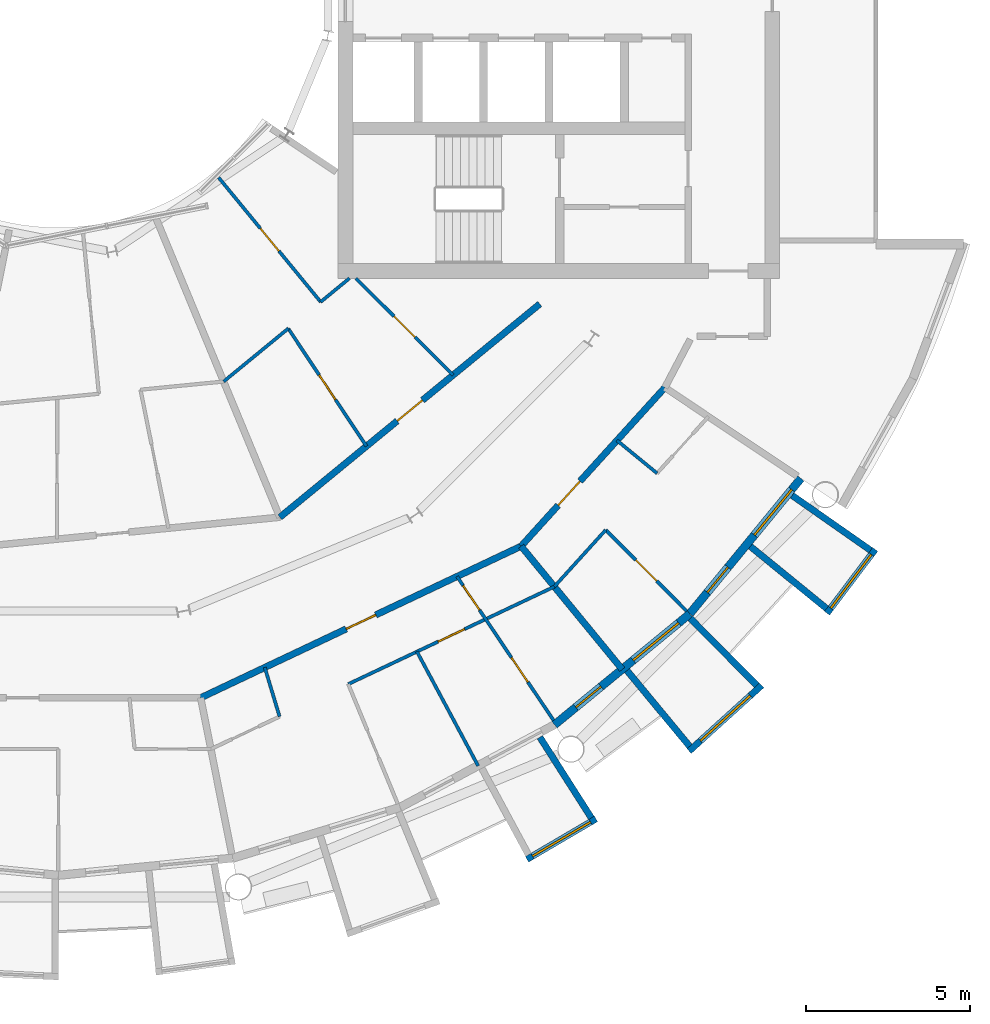
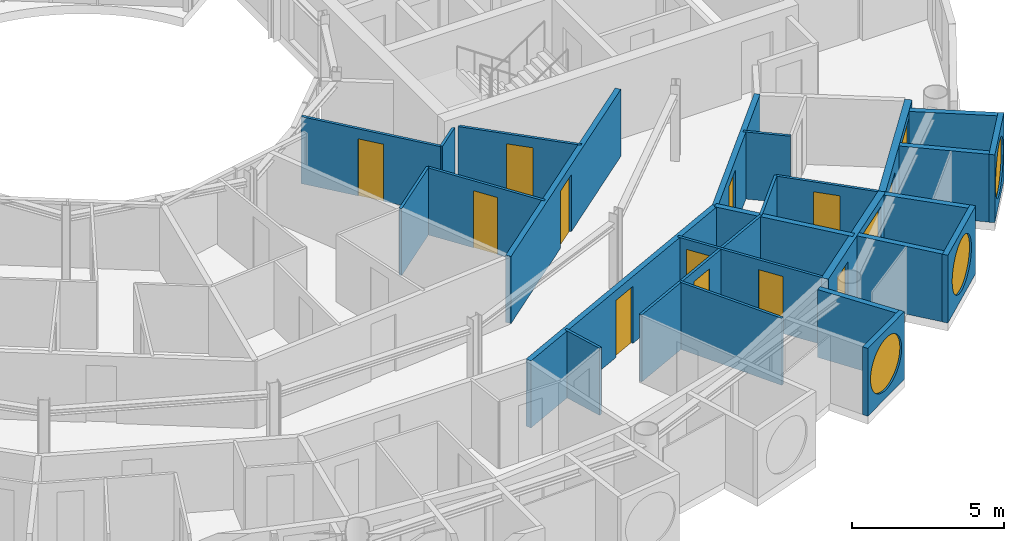
# One storey, part 18 of 29: 26 walls, 12 doors, 5 windows, 17 openings.
"""IFC4 building model written with IfcOpenShell, lengths in metres."""

from ifc_helpers import new_model, si_unit, direction, frame, frame_2d, origin, place, context, subcontext, project, spatial, rectangle, circle, extrude, material, layer, layer_set, type_object, element, fill, save


model = new_model("IFC4")

# Units and contexts
model_context = context("Model", 3, precision=1e-05, world=origin(), true_north=direction((0.0, 1.0)))
body_context = subcontext(model_context, "Body", "Model", "MODEL_VIEW")
ifc_project = project(units=[si_unit("LENGTHUNIT", "METRE"), si_unit("AREAUNIT", "SQUARE_METRE"), si_unit("VOLUMEUNIT", "CUBIC_METRE"), si_unit("PLANEANGLEUNIT", "RADIAN"), si_unit("MASSUNIT", "GRAM", prefix="KILO")], contexts=[model_context])

# Site, building, storey
site_placement = place(None, origin())
site = spatial("IfcSite", under=ifc_project, at=site_placement, CompositionType="ELEMENT")
building_placement = place(site_placement, origin())
building = spatial("IfcBuilding", under=site, at=building_placement, Name="Maasbend Ring Residences", CompositionType="ELEMENT")
storey_placement = place(building_placement, frame((0.0, 0.0, 215.75)))
storey = spatial("IfcBuildingStorey", under=building, at=storey_placement, Name="L62", CompositionType="ELEMENT", Elevation=215.75)

# Wall, opening, door
ifc_material_1 = material(Name="Concrete C30/37", Category="concrete")
ifc_layer_1 = layer(ifc_material_1, 0.199951171875)
ifc_layer_set_1 = layer_set([ifc_layer_1], Name="Concrete C30/37")
wall_type_1 = type_object("IfcWallType", Name="CORRIDOR WALL 200 CONCRETE", PredefinedType="PARTITIONING", material=ifc_layer_set_1)
wall_1_placement = place(storey_placement, frame((14.14697265625, -17.238037109375, 0.0), z_axis=(0.0, 0.0, 1.0), x_axis=(0.671561669125, 0.740948665268, 0.0)))
wall_1 = element("IfcWall", 1, at=wall_1_placement, inside=storey, type_object=wall_type_1, Name="U-L62-w013", PredefinedType="PARTITIONING", context=body_context, shape_type="SweptSolid", body=[
    extrude(rectangle(XDim=6.54443359375, YDim=0.199951171875, at=frame_2d((3.272216796875, 0.0))), origin(), (0.0, 0.0, 1.0), 2.699951171875),
])
opening_1_placement = place(wall_1_placement, frame((1.681884765625, 0.0, 0.0)))
opening_1 = element("IfcOpeningElement", 2, at=opening_1_placement, cuts=wall_1, Name="Opening D-6253", PredefinedType="OPENING", context=body_context, shape_type="SweptSolid", body=[
    extrude(rectangle(XDim=1.0, YDim=2.300048828125, at=frame_2d((0.5, 1.14990234375))), frame((0.0, 0.10986328125, 0.0), z_axis=(0.0, -1.0, 0.0), x_axis=(1.0, 0.0, 0.0)), (0.0, 0.0, 1.0), 0.219970703125),
])
ifc_material_2 = material(Name="Timber, fire-rated, painted", Category="wood")
door_type_1 = type_object("IfcDoorType", Name="FLAT ENTRANCE DOOR 1000 X 2300 FIRE-RATED", OperationType="NOTDEFINED", PredefinedType="DOOR", material=ifc_material_2)
door_1_placement = place(opening_1_placement, origin())
door_1 = element("IfcDoor", 3, at=door_1_placement, inside=storey, type_object=door_type_1, Name="D-6253", OperationType="SINGLE_SWING_LEFT", OverallHeight=2.300048828125, OverallWidth=1.0, PredefinedType="DOOR", context=body_context, shape_type="SweptSolid", body=[
    extrude(rectangle(XDim=1.0, YDim=2.300048828125, at=frame_2d((0.5, 1.14990234375))), frame((0.0, 0.02490234375, 0.0), z_axis=(0.0, -1.0, 0.0), x_axis=(1.0, 0.0, 0.0)), (0.0, 0.0, 1.0), 0.050048828125),
])
fill(opening_1, door_1)

wall_2_placement = place(storey_placement, frame((4.35205078125, -21.873046875, 0.0), z_axis=(0.0, 0.0, 1.0), x_axis=(0.903903349022, 0.427736759733, 0.0)))
wall_2 = element("IfcWall", 4, at=wall_2_placement, inside=storey, type_object=wall_type_1, Name="U-L62-w019", PredefinedType="PARTITIONING", context=body_context, shape_type="SweptSolid", body=[
    extrude(rectangle(XDim=10.83837890625, YDim=0.199951171875, at=frame_2d((5.419189453125, 0.0))), origin(), (0.0, 0.0, 1.0), 2.699951171875),
])
opening_2_placement = place(wall_2_placement, frame((4.919921875, 0.0, 0.0)))
opening_2 = element("IfcOpeningElement", 5, at=opening_2_placement, cuts=wall_2, Name="Opening D-6247", PredefinedType="OPENING", context=body_context, shape_type="SweptSolid", body=[
    extrude(rectangle(XDim=1.0, YDim=2.300048828125, at=frame_2d((0.5, 1.14990234375))), frame((0.0, 0.10986328125, 0.0), z_axis=(0.0, -1.0, 0.0), x_axis=(1.0, 0.0, 0.0)), (0.0, 0.0, 1.0), 0.219970703125),
])
door_2_placement = place(opening_2_placement, origin())
door_2 = element("IfcDoor", 6, at=door_2_placement, inside=storey, type_object=door_type_1, Name="D-6247", OperationType="SINGLE_SWING_RIGHT", OverallHeight=2.300048828125, OverallWidth=1.0, PredefinedType="DOOR", context=body_context, shape_type="SweptSolid", body=[
    extrude(rectangle(XDim=1.0, YDim=2.300048828125, at=frame_2d((0.5, 1.14990234375))), frame((0.0, 0.02490234375, 0.0), z_axis=(0.0, -1.0, 0.0), x_axis=(1.0, 0.0, 0.0)), (0.0, 0.0, 1.0), 0.050048828125),
])
fill(opening_2, door_2)

wall_3_placement = place(storey_placement, frame((6.77294921875, -16.35302734375, 0.0), z_axis=(0.0, 0.0, 1.0), x_axis=(0.773034536097, 0.634363938131, 0.0)))
wall_3 = element("IfcWall", 7, at=wall_3_placement, inside=storey, type_object=wall_type_1, Name="U-L62-w021", PredefinedType="PARTITIONING", context=body_context, shape_type="SweptSolid", body=[
    extrude(rectangle(XDim=10.276611328125, YDim=0.199951171875, at=frame_2d((5.13818359375, 0.0))), origin(), (0.0, 0.0, 1.0), 2.699951171875),
])
opening_3_placement = place(wall_3_placement, frame((4.637939453125, 0.0, 0.0)))
opening_3 = element("IfcOpeningElement", 8, at=opening_3_placement, cuts=wall_3, Name="Opening D-6264", PredefinedType="OPENING", context=body_context, shape_type="SweptSolid", body=[
    extrude(rectangle(XDim=1.0, YDim=2.300048828125, at=frame_2d((0.5, 1.14990234375))), frame((0.0, 0.10986328125, 0.0), z_axis=(0.0, -1.0, 0.0), x_axis=(1.0, 0.0, 0.0)), (0.0, 0.0, 1.0), 0.219970703125),
])
door_3_placement = place(opening_3_placement, origin())
door_3 = element("IfcDoor", 9, at=door_3_placement, inside=storey, type_object=door_type_1, Name="D-6264", OperationType="SINGLE_SWING_RIGHT", OverallHeight=2.300048828125, OverallWidth=1.0, PredefinedType="DOOR", context=body_context, shape_type="SweptSolid", body=[
    extrude(rectangle(XDim=1.0, YDim=2.300048828125, at=frame_2d((0.5, 1.14990234375))), frame((0.0, 0.02490234375, 0.0), z_axis=(0.0, -1.0, 0.0), x_axis=(1.0, 0.0, 0.0)), (0.0, 0.0, 1.0), 0.050048828125),
])
fill(opening_3, door_3)

# Wall, opening, window
ifc_material_3 = material(Name="Pale anodised aluminium panel", Category="aluminium")
ifc_layer_2 = layer(ifc_material_3, 0.199951171875)
ifc_layer_set_2 = layer_set([ifc_layer_2], Name="EW-BOX")
wall_type_2 = type_object("IfcWallType", Name="EW-BOX", PredefinedType="SOLIDWALL", material=ifc_layer_set_2)
wall_4_placement = place(storey_placement, frame((14.326904296875, -26.81201171875, -0.030029296875), z_axis=(0.0, 0.0, 1.0), x_axis=(0.862403467503, 0.506221551535, 0.0)))
wall_4 = element("IfcWall", 10, at=wall_4_placement, inside=storey, type_object=wall_type_2, Name="Box front S16", PredefinedType="SOLIDWALL", context=body_context, shape_type="SweptSolid", body=[
    extrude(rectangle(XDim=2.445556640625, YDim=0.199951171875, at=frame_2d((1.22265625, 0.0))), origin(), (0.0, 0.0, 1.0), 2.72998046875),
])
opening_4_placement = place(wall_4_placement, frame((0.182861328125, 0.0, 0.330078125)))
opening_4 = element("IfcOpeningElement", 11, at=opening_4_placement, cuts=wall_4, Name="Opening W-RD", PredefinedType="OPENING", context=body_context, shape_type="SweptSolid", body=[
    extrude(circle(Radius=1.0400390625, at=frame_2d((1.0400390625, 1.0400390625))), frame((0.0, 0.10986328125, 0.0), z_axis=(0.0, -1.0, 0.0), x_axis=(1.0, 0.0, 0.0)), (0.0, 0.0, 1.0), 0.219970703125),
])
ifc_material_4 = material(Name="Aluminium and clear glass", Category="aluminium")
window_type_1 = type_object("IfcWindowType", Name="W-RD", PartitioningType="SINGLE_PANEL", PredefinedType="WINDOW", material=ifc_material_4)
window_1_placement = place(opening_4_placement, origin())
window_1 = element("IfcWindow", 12, at=window_1_placement, inside=storey, type_object=window_type_1, Name="Round window S16", OverallHeight=2.080078125, OverallWidth=2.080078125, PartitioningType="SINGLE_PANEL", PredefinedType="WINDOW", context=body_context, shape_type="SweptSolid", body=[
    extrude(circle(Radius=1.0400390625, at=frame_2d((1.0400390625, 1.0400390625))), frame((0.0, 0.030029296875, 0.0), z_axis=(0.0, -1.0, 0.0), x_axis=(1.0, 0.0, 0.0)), (0.0, 0.0, 1.0), 0.06005859375),
])
fill(opening_4, window_1)

# Wall
wall_5_placement = place(storey_placement, frame((14.721923828125, -23.0791015625, -0.030029296875), z_axis=(0.0, 0.0, 1.0), x_axis=(0.537572179146, -0.843217737129, 0.0)))
element("IfcWall", 13, at=wall_5_placement, inside=storey, type_object=wall_type_2, Name="Box side wall S16 right", PredefinedType="SOLIDWALL", context=body_context, shape_type="SweptSolid", body=[
    extrude(rectangle(XDim=2.92431640625, YDim=0.199951171875, at=frame_2d((1.462158203125, 0.0))), origin(), (0.0, 0.0, 1.0), 2.72998046875),
])

# Wall, opening, window
wall_6_placement = place(storey_placement, frame((19.281982421875, -23.5029296875, -0.030029296875), z_axis=(0.0, 0.0, 1.0), x_axis=(0.740998365753, 0.671506829416, 0.0)))
wall_6 = element("IfcWall", 14, at=wall_6_placement, inside=storey, type_object=wall_type_2, Name="Box front S18", PredefinedType="SOLIDWALL", context=body_context, shape_type="SweptSolid", body=[
    extrude(rectangle(XDim=2.9931640625, YDim=0.199951171875, at=frame_2d((1.49658203125, 0.0))), origin(), (0.0, 0.0, 1.0), 2.72998046875),
])
opening_5_placement = place(wall_6_placement, frame((0.45654296875, 0.0, 0.330078125)))
opening_5 = element("IfcOpeningElement", 15, at=opening_5_placement, cuts=wall_6, Name="Opening W-RD", PredefinedType="OPENING", context=body_context, shape_type="SweptSolid", body=[
    extrude(circle(Radius=1.0400390625, at=frame_2d((1.0400390625, 1.0400390625))), frame((0.0, 0.10986328125, 0.0), z_axis=(0.0, -1.0, 0.0), x_axis=(1.0, 0.0, 0.0)), (0.0, 0.0, 1.0), 0.219970703125),
])
window_2_placement = place(opening_5_placement, origin())
window_2 = element("IfcWindow", 16, at=window_2_placement, inside=storey, type_object=window_type_1, Name="Round window S18", OverallHeight=2.080078125, OverallWidth=2.080078125, PartitioningType="SINGLE_PANEL", PredefinedType="WINDOW", context=body_context, shape_type="SweptSolid", body=[
    extrude(circle(Radius=1.0400390625, at=frame_2d((1.0400390625, 1.0400390625))), frame((0.0, 0.030029296875, 0.0), z_axis=(0.0, -1.0, 0.0), x_axis=(1.0, 0.0, 0.0)), (0.0, 0.0, 1.0), 0.06005859375),
])
fill(opening_5, window_2)

# Walls
wall_7_placement = place(storey_placement, frame((17.384033203125, -21.041015625, -0.030029296875), z_axis=(0.0, 0.0, 1.0), x_axis=(0.63709551667, -0.770784861449, 0.0)))
element("IfcWall", 17, at=wall_7_placement, inside=storey, type_object=wall_type_2, Name="Box side wall S18 left", PredefinedType="SOLIDWALL", context=body_context, shape_type="SweptSolid", body=[
    extrude(rectangle(XDim=3.005859375, YDim=0.199951171875, at=frame_2d((1.5029296875, 0.0))), origin(), (0.0, 0.0, 1.0), 2.72998046875),
])
wall_8_placement = place(storey_placement, frame((19.322998046875, -19.449951171875, -0.030029296875), z_axis=(0.0, 0.0, 1.0), x_axis=(0.704476739375, -0.709727076896, 0.0)))
element("IfcWall", 18, at=wall_8_placement, inside=storey, type_object=wall_type_2, Name="Box side wall S18 right", PredefinedType="SOLIDWALL", context=body_context, shape_type="SweptSolid", body=[
    extrude(rectangle(XDim=2.883056640625, YDim=0.199951171875, at=frame_2d((1.44140625, 0.0))), origin(), (0.0, 0.0, 1.0), 2.72998046875),
])

# Wall, opening, window
wall_9_placement = place(storey_placement, frame((23.4970703125, -19.2890625, -0.030029296875), z_axis=(0.0, 0.0, 1.0), x_axis=(0.602806268067, 0.797887588059, 0.0)))
wall_9 = element("IfcWall", 19, at=wall_9_placement, inside=storey, type_object=wall_type_2, Name="Box front S20", PredefinedType="SOLIDWALL", context=body_context, shape_type="SweptSolid", body=[
    extrude(rectangle(XDim=2.446533203125, YDim=0.199951171875, at=frame_2d((1.22314453125, 0.0))), origin(), (0.0, 0.0, 1.0), 2.72998046875),
])
opening_6_placement = place(wall_9_placement, frame((0.182861328125, 0.0, 0.330078125)))
opening_6 = element("IfcOpeningElement", 20, at=opening_6_placement, cuts=wall_9, Name="Opening W-RD", PredefinedType="OPENING", context=body_context, shape_type="SweptSolid", body=[
    extrude(circle(Radius=1.0400390625, at=frame_2d((1.0400390625, 1.0400390625))), frame((0.0, 0.10986328125, 0.0), z_axis=(0.0, -1.0, 0.0), x_axis=(1.0, 0.0, 0.0)), (0.0, 0.0, 1.0), 0.219970703125),
])
window_3_placement = place(opening_6_placement, origin())
window_3 = element("IfcWindow", 21, at=window_3_placement, inside=storey, type_object=window_type_1, Name="Round window S20", OverallHeight=2.080078125, OverallWidth=2.080078125, PartitioningType="SINGLE_PANEL", PredefinedType="WINDOW", context=body_context, shape_type="SweptSolid", body=[
    extrude(circle(Radius=1.0400390625, at=frame_2d((1.0400390625, 1.0400390625))), frame((0.0, 0.030029296875, 0.0), z_axis=(0.0, -1.0, 0.0), x_axis=(1.0, 0.0, 0.0)), (0.0, 0.0, 1.0), 0.06005859375),
])
fill(opening_6, window_3)

# Walls
wall_10_placement = place(storey_placement, frame((21.155029296875, -17.24609375, -0.030029296875), z_axis=(0.0, 0.0, 1.0), x_axis=(0.775179004516, -0.631741648902, 0.0)))
element("IfcWall", 22, at=wall_10_placement, inside=storey, type_object=wall_type_2, Name="Box side wall S20 left", PredefinedType="SOLIDWALL", context=body_context, shape_type="SweptSolid", body=[
    extrude(rectangle(XDim=3.005859375, YDim=0.199951171875, at=frame_2d((1.5029296875, 0.0))), origin(), (0.0, 0.0, 1.0), 2.72998046875),
])
wall_11_placement = place(storey_placement, frame((22.43310546875, -15.68798828125, -0.030029296875), z_axis=(0.0, 0.0, 1.0), x_axis=(0.819373043115, -0.573260687834, 0.0)))
element("IfcWall", 23, at=wall_11_placement, inside=storey, type_object=wall_type_2, Name="Box side wall S20 right", PredefinedType="SOLIDWALL", context=body_context, shape_type="SweptSolid", body=[
    extrude(rectangle(XDim=2.92529296875, YDim=0.199951171875, at=frame_2d((1.462646484375, 0.0))), origin(), (0.0, 0.0, 1.0), 2.72998046875),
])

# Wall, openings, door, window
ifc_material_5 = material(Name="Aluminium clad insulated panel", Category="aluminium")
ifc_layer_3 = layer(ifc_material_5, 0.25)
ifc_layer_set_3 = layer_set([ifc_layer_3], Name="EW-GL")
wall_type_3 = type_object("IfcWallType", Name="EW-GL", PredefinedType="SOLIDWALL", material=ifc_layer_set_3)
wall_12_placement = place(storey_placement, frame((15.1669921875, -22.698974609375, 0.0), z_axis=(0.0, 0.0, 1.0), x_axis=(0.773019449054, 0.634382322723, 0.0)))
wall_12 = element("IfcWall", 24, at=wall_12_placement, inside=storey, type_object=wall_type_3, Name="External wall S09", PredefinedType="SOLIDWALL", context=body_context, shape_type="SweptSolid", body=[
    extrude(rectangle(XDim=5.351806640625, YDim=0.25, at=frame_2d((2.67578125, 0.0))), origin(), (0.0, 0.0, 1.0), 2.699951171875),
])
opening_7_placement = place(wall_12_placement, frame((0.841064453125, 0.0, 0.0)))
opening_7 = element("IfcOpeningElement", 25, at=opening_7_placement, cuts=wall_12, Name="Opening D-LG", PredefinedType="OPENING", context=body_context, shape_type="SweptSolid", body=[
    extrude(rectangle(XDim=1.0, YDim=2.199951171875, at=frame_2d((0.5, 1.10009765625))), frame((0.0, 0.135009765625, 0.0), z_axis=(0.0, -1.0, 0.0), x_axis=(1.0, 0.0, 0.0)), (0.0, 0.0, 1.0), 0.27001953125),
])
opening_8_placement = place(wall_12_placement, frame((3.110595703125, 0.0, 0.300048828125)))
opening_8 = element("IfcOpeningElement", 26, at=opening_8_placement, cuts=wall_12, Name="Opening W-BX", PredefinedType="OPENING", context=body_context, shape_type="SweptSolid", body=[
    extrude(rectangle(XDim=1.800048828125, YDim=2.10009765625, at=frame_2d((0.89990234375, 1.050048828125))), frame((0.0, 0.135009765625, 0.0), z_axis=(0.0, -1.0, 0.0), x_axis=(1.0, 0.0, 0.0)), (0.0, 0.0, 1.0), 0.27001953125),
])
ifc_material_6 = material(Name="Aluminium and clear glass", Category="aluminium")
door_type_2 = type_object("IfcDoorType", Name="D-LG", OperationType="SINGLE_SWING_LEFT", PredefinedType="DOOR", material=ifc_material_6)
door_4_placement = place(opening_7_placement, origin())
door_4 = element("IfcDoor", 27, at=door_4_placement, inside=storey, type_object=door_type_2, Name="Loggia door S17", OperationType="SINGLE_SWING_LEFT", OverallHeight=2.199951171875, OverallWidth=1.0, PredefinedType="DOOR", context=body_context, shape_type="SweptSolid", body=[
    extrude(rectangle(XDim=1.0, YDim=2.199951171875, at=frame_2d((0.5, 1.10009765625))), frame((0.0, 0.02490234375, 0.0), z_axis=(0.0, -1.0, 0.0), x_axis=(1.0, 0.0, 0.0)), (0.0, 0.0, 1.0), 0.050048828125),
])
fill(opening_7, door_4)
ifc_material_7 = material(Name="Aluminium and clear glass", Category="aluminium")
window_type_2 = type_object("IfcWindowType", Name="W-BX", PartitioningType="DOUBLE_PANEL_VERTICAL", PredefinedType="WINDOW", material=ifc_material_7)
window_4_placement = place(opening_8_placement, origin())
window_4 = element("IfcWindow", 28, at=window_4_placement, inside=storey, type_object=window_type_2, Name="Window S18 room to box", OverallHeight=2.10009765625, OverallWidth=1.800048828125, PartitioningType="SINGLE_PANEL", PredefinedType="WINDOW", context=body_context, shape_type="SweptSolid", body=[
    extrude(rectangle(XDim=1.800048828125, YDim=2.10009765625, at=frame_2d((0.89990234375, 1.050048828125))), frame((0.0, 0.030029296875, 0.0), z_axis=(0.0, -1.0, 0.0), x_axis=(1.0, 0.0, 0.0)), (0.0, 0.0, 1.0), 0.06005859375),
])
fill(opening_8, window_4)

wall_13_placement = place(storey_placement, frame((19.303955078125, -19.303955078125, 0.0), z_axis=(0.0, 0.0, 1.0), x_axis=(0.634382322723, 0.773019449054, 0.0)))
wall_13 = element("IfcWall", 29, at=wall_13_placement, inside=storey, type_object=wall_type_3, Name="External wall S10", PredefinedType="SOLIDWALL", context=body_context, shape_type="SweptSolid", body=[
    extrude(rectangle(XDim=5.351806640625, YDim=0.25, at=frame_2d((2.67578125, 0.0))), origin(), (0.0, 0.0, 1.0), 2.699951171875),
])
opening_9_placement = place(wall_13_placement, frame((0.841064453125, 0.0, 0.0)))
opening_9 = element("IfcOpeningElement", 30, at=opening_9_placement, cuts=wall_13, Name="Opening D-LG", PredefinedType="OPENING", context=body_context, shape_type="SweptSolid", body=[
    extrude(rectangle(XDim=1.0, YDim=2.199951171875, at=frame_2d((0.5, 1.10009765625))), frame((0.0, 0.135009765625, 0.0), z_axis=(0.0, -1.0, 0.0), x_axis=(1.0, 0.0, 0.0)), (0.0, 0.0, 1.0), 0.27001953125),
])
opening_10_placement = place(wall_13_placement, frame((3.110595703125, 0.0, 0.300048828125)))
opening_10 = element("IfcOpeningElement", 31, at=opening_10_placement, cuts=wall_13, Name="Opening W-BX", PredefinedType="OPENING", context=body_context, shape_type="SweptSolid", body=[
    extrude(rectangle(XDim=1.800048828125, YDim=2.10009765625, at=frame_2d((0.89990234375, 1.050048828125))), frame((0.0, 0.135009765625, 0.0), z_axis=(0.0, -1.0, 0.0), x_axis=(1.0, 0.0, 0.0)), (0.0, 0.0, 1.0), 0.27001953125),
])
door_5_placement = place(opening_9_placement, origin())
door_5 = element("IfcDoor", 32, at=door_5_placement, inside=storey, type_object=door_type_2, Name="Loggia door S19", OperationType="SINGLE_SWING_LEFT", OverallHeight=2.199951171875, OverallWidth=1.0, PredefinedType="DOOR", context=body_context, shape_type="SweptSolid", body=[
    extrude(rectangle(XDim=1.0, YDim=2.199951171875, at=frame_2d((0.5, 1.10009765625))), frame((0.0, 0.02490234375, 0.0), z_axis=(0.0, -1.0, 0.0), x_axis=(1.0, 0.0, 0.0)), (0.0, 0.0, 1.0), 0.050048828125),
])
fill(opening_9, door_5)
window_5_placement = place(opening_10_placement, origin())
window_5 = element("IfcWindow", 33, at=window_5_placement, inside=storey, type_object=window_type_2, Name="Window S20 room to box", OverallHeight=2.10009765625, OverallWidth=1.800048828125, PartitioningType="SINGLE_PANEL", PredefinedType="WINDOW", context=body_context, shape_type="SweptSolid", body=[
    extrude(rectangle(XDim=1.800048828125, YDim=2.10009765625, at=frame_2d((0.89990234375, 1.050048828125))), frame((0.0, 0.030029296875, 0.0), z_axis=(0.0, -1.0, 0.0), x_axis=(1.0, 0.0, 0.0)), (0.0, 0.0, 1.0), 0.06005859375),
])
fill(opening_10, window_5)

# Wall
ifc_material_8 = material(Name="Gypsum board on steel studs", Category="steel")
ifc_layer_4 = layer(ifc_material_8, 0.10009765625)
ifc_layer_set_4 = layer_set([ifc_layer_4], Name="PARTITION 100 GYPSUM")
wall_type_4 = type_object("IfcWallType", Name="PARTITION 100 GYPSUM", PredefinedType="PARTITIONING", material=ifc_layer_set_4)
wall_14_placement = place(storey_placement, frame((15.162109375, -18.47509765625, 0.0), z_axis=(0.0, 0.0, 1.0), x_axis=(0.671528384412, 0.740978831634, 0.0)))
element("IfcWall", 34, at=wall_14_placement, inside=storey, type_object=wall_type_4, Name="U-L62-w001", PredefinedType="PARTITIONING", context=body_context, shape_type="SweptSolid", body=[
    extrude(rectangle(XDim=2.337646484375, YDim=0.10009765625, at=frame_2d((1.1689453125, 0.0))), origin(), (0.0, 0.0, 1.0), 2.699951171875),
])

# Wall, opening, door
wall_15_placement = place(storey_placement, frame((8.863037109375, -21.455078125, 0.0), z_axis=(0.0, 0.0, 1.0), x_axis=(0.904027961542, 0.427473326361, 0.0)))
wall_15 = element("IfcWall", 35, at=wall_15_placement, inside=storey, type_object=wall_type_4, Name="U-L62-w010", PredefinedType="PARTITIONING", context=body_context, shape_type="SweptSolid", body=[
    extrude(rectangle(XDim=6.96875, YDim=0.10009765625, at=frame_2d((3.484375, 0.0))), origin(), (0.0, 0.0, 1.0), 2.699951171875),
])
opening_11_placement = place(wall_15_placement, frame((3.033935546875, 0.0, 0.0)))
opening_11 = element("IfcOpeningElement", 36, at=opening_11_placement, cuts=wall_15, Name="Opening D-6251", PredefinedType="OPENING", context=body_context, shape_type="SweptSolid", body=[
    extrude(rectangle(XDim=0.89990234375, YDim=2.300048828125, at=frame_2d((0.449951171875, 1.14990234375))), frame((0.0, 0.06005859375, 0.0), z_axis=(0.0, -1.0, 0.0), x_axis=(1.0, 0.0, 0.0)), (0.0, 0.0, 1.0), 0.1201171875),
])
ifc_material_9 = material(Name="Timber, painted", Category="wood")
door_type_3 = type_object("IfcDoorType", Name="INTERNAL DOOR 900 X 2300", OperationType="NOTDEFINED", PredefinedType="DOOR", material=ifc_material_9)
door_6_placement = place(opening_11_placement, origin())
door_6 = element("IfcDoor", 37, at=door_6_placement, inside=storey, type_object=door_type_3, Name="D-6251", OperationType="SINGLE_SWING_LEFT", OverallHeight=2.300048828125, OverallWidth=0.89990234375, PredefinedType="DOOR", context=body_context, shape_type="SweptSolid", body=[
    extrude(rectangle(XDim=0.89990234375, YDim=2.300048828125, at=frame_2d((0.449951171875, 1.14990234375))), frame((0.0, 0.02490234375, 0.0), z_axis=(0.0, -1.0, 0.0), x_axis=(1.0, 0.0, 0.0)), (0.0, 0.0, 1.0), 0.050048828125),
])
fill(opening_11, door_6)

# Walls
wall_16_placement = place(storey_placement, frame((5.054931640625, -12.2041015625, 0.0), z_axis=(0.0, 0.0, 1.0), x_axis=(0.772943675046, 0.634474645046, 0.0)))
element("IfcWall", 38, at=wall_16_placement, inside=storey, type_object=wall_type_4, Name="U-L62-w025", PredefinedType="PARTITIONING", context=body_context, shape_type="SweptSolid", body=[
    extrude(rectangle(XDim=2.556640625, YDim=0.10009765625, at=frame_2d((1.2783203125, 0.0))), origin(), (0.0, 0.0, 1.0), 2.699951171875),
])
wall_17_placement = place(storey_placement, frame((8.01708984375, -9.77294921875, 0.0), z_axis=(0.0, 0.0, 1.0), x_axis=(0.772786083133, 0.634666581534, 0.0)))
element("IfcWall", 39, at=wall_17_placement, inside=storey, type_object=wall_type_4, Name="U-L62-w026", PredefinedType="PARTITIONING", context=body_context, shape_type="SweptSolid", body=[
    extrude(rectangle(XDim=1.1435546875, YDim=0.10009765625, at=frame_2d((0.57177734375, 0.0))), origin(), (0.0, 0.0, 1.0), 2.699951171875),
])
wall_18_placement = place(storey_placement, frame((17.076904296875, -14.006103515625, 0.0), z_axis=(0.0, 0.0, 1.0), x_axis=(0.773476341377, -0.633825172528, 0.0)))
element("IfcWall", 40, at=wall_18_placement, inside=storey, type_object=wall_type_4, Name="U-L62-w037", PredefinedType="PARTITIONING", context=body_context, shape_type="SweptSolid", body=[
    extrude(rectangle(XDim=1.583984375, YDim=0.10009765625, at=frame_2d((0.7919921875, 0.0))), origin(), (0.0, 0.0, 1.0), 2.699951171875),
])

# Wall, opening, door
wall_19_placement = place(storey_placement, frame((4.89794921875, -5.968017578125, 0.0), z_axis=(0.0, 0.0, 1.0), x_axis=(0.634401778971, -0.773003481776, 0.0)))
wall_19 = element("IfcWall", 41, at=wall_19_placement, inside=storey, type_object=wall_type_4, Name="U-L62-w077", PredefinedType="PARTITIONING", context=body_context, shape_type="SweptSolid", body=[
    extrude(rectangle(XDim=4.919677734375, YDim=0.10009765625, at=frame_2d((2.4599609375, 0.0))), origin(), (0.0, 0.0, 1.0), 2.699951171875),
])
opening_12_placement = place(wall_19_placement, frame((2.010009765625, 0.0, 0.0)))
opening_12 = element("IfcOpeningElement", 42, at=opening_12_placement, cuts=wall_19, Name="Opening D-6267", PredefinedType="OPENING", context=body_context, shape_type="SweptSolid", body=[
    extrude(rectangle(XDim=0.89990234375, YDim=2.300048828125, at=frame_2d((0.449951171875, 1.14990234375))), frame((0.0, 0.06005859375, 0.0), z_axis=(0.0, -1.0, 0.0), x_axis=(1.0, 0.0, 0.0)), (0.0, 0.0, 1.0), 0.1201171875),
])
door_7_placement = place(opening_12_placement, origin())
door_7 = element("IfcDoor", 43, at=door_7_placement, inside=storey, type_object=door_type_3, Name="D-6267", OperationType="SINGLE_SWING_RIGHT", OverallHeight=2.300048828125, OverallWidth=0.89990234375, PredefinedType="DOOR", context=body_context, shape_type="SweptSolid", body=[
    extrude(rectangle(XDim=0.89990234375, YDim=2.300048828125, at=frame_2d((0.449951171875, 1.14990234375))), frame((0.0, 0.02490234375, 0.0), z_axis=(0.0, -1.0, 0.0), x_axis=(1.0, 0.0, 0.0)), (0.0, 0.0, 1.0), 0.050048828125),
])
fill(opening_12, door_7)

# Wall
wall_20_placement = place(storey_placement, frame((6.31005859375, -20.945068359375, 0.0), z_axis=(0.0, 0.0, 1.0), x_axis=(0.288517752304, -0.957474546192, 0.0)))
element("IfcWall", 44, at=wall_20_placement, inside=storey, type_object=wall_type_4, Name="U-L62-w078", PredefinedType="PARTITIONING", context=body_context, shape_type="SweptSolid", body=[
    extrude(rectangle(XDim=1.569580078125, YDim=0.10009765625, at=frame_2d((0.78466796875, 0.0))), origin(), (0.0, 0.0, 1.0), 2.699951171875),
])

# Wall, opening, door
wall_21_placement = place(storey_placement, frame((7.028076171875, -10.583984375, 0.0), z_axis=(0.0, 0.0, 1.0), x_axis=(0.553303732327, -0.832979579457, 0.0)))
wall_21 = element("IfcWall", 45, at=wall_21_placement, inside=storey, type_object=wall_type_4, Name="U-L62-w080", PredefinedType="PARTITIONING", context=body_context, shape_type="SweptSolid", body=[
    extrude(rectangle(XDim=4.3193359375, YDim=0.10009765625, at=frame_2d((2.15966796875, 0.0))), origin(), (0.0, 0.0, 1.0), 2.699951171875),
])
opening_13_placement = place(wall_21_placement, frame((1.7099609375, 0.0, 0.0)))
opening_13 = element("IfcOpeningElement", 46, at=opening_13_placement, cuts=wall_21, Name="Opening D-6265", PredefinedType="OPENING", context=body_context, shape_type="SweptSolid", body=[
    extrude(rectangle(XDim=0.89990234375, YDim=2.300048828125, at=frame_2d((0.449951171875, 1.14990234375))), frame((0.0, 0.06005859375, 0.0), z_axis=(0.0, -1.0, 0.0), x_axis=(1.0, 0.0, 0.0)), (0.0, 0.0, 1.0), 0.1201171875),
])
door_8_placement = place(opening_13_placement, origin())
door_8 = element("IfcDoor", 47, at=door_8_placement, inside=storey, type_object=door_type_3, Name="D-6265", OperationType="SINGLE_SWING_LEFT", OverallHeight=2.300048828125, OverallWidth=0.89990234375, PredefinedType="DOOR", context=body_context, shape_type="SweptSolid", body=[
    extrude(rectangle(XDim=0.89990234375, YDim=2.300048828125, at=frame_2d((0.449951171875, 1.14990234375))), frame((0.0, 0.02490234375, 0.0), z_axis=(0.0, -1.0, 0.0), x_axis=(1.0, 0.0, 0.0)), (0.0, 0.0, 1.0), 0.050048828125),
])
fill(opening_13, door_8)

wall_22_placement = place(storey_placement, frame((9.095947265625, -9.051025390625, 0.0), z_axis=(0.0, 0.0, 1.0), x_axis=(0.708909651863, -0.705299302067, 0.0)))
wall_22 = element("IfcWall", 48, at=wall_22_placement, inside=storey, type_object=wall_type_4, Name="U-L62-w084", PredefinedType="PARTITIONING", context=body_context, shape_type="SweptSolid", body=[
    extrude(rectangle(XDim=4.192626953125, YDim=0.10009765625, at=frame_2d((2.09619140625, 0.0))), origin(), (0.0, 0.0, 1.0), 2.699951171875),
])
opening_14_placement = place(wall_22_placement, frame((1.64599609375, 0.0, 0.0)))
opening_14 = element("IfcOpeningElement", 49, at=opening_14_placement, cuts=wall_22, Name="Opening D-6266", PredefinedType="OPENING", context=body_context, shape_type="SweptSolid", body=[
    extrude(rectangle(XDim=0.89990234375, YDim=2.300048828125, at=frame_2d((0.449951171875, 1.14990234375))), frame((0.0, 0.06005859375, 0.0), z_axis=(0.0, -1.0, 0.0), x_axis=(1.0, 0.0, 0.0)), (0.0, 0.0, 1.0), 0.1201171875),
])
door_9_placement = place(opening_14_placement, origin())
door_9 = element("IfcDoor", 50, at=door_9_placement, inside=storey, type_object=door_type_3, Name="D-6266", OperationType="SINGLE_SWING_RIGHT", OverallHeight=2.300048828125, OverallWidth=0.89990234375, PredefinedType="DOOR", context=body_context, shape_type="SweptSolid", body=[
    extrude(rectangle(XDim=0.89990234375, YDim=2.300048828125, at=frame_2d((0.449951171875, 1.14990234375))), frame((0.0, 0.02490234375, 0.0), z_axis=(0.0, -1.0, 0.0), x_axis=(1.0, 0.0, 0.0)), (0.0, 0.0, 1.0), 0.050048828125),
])
fill(opening_14, door_9)

# Wall
wall_23_placement = place(storey_placement, frame((10.9619140625, -20.4609375, 0.0), z_axis=(0.0, 0.0, 1.0), x_axis=(0.472173540979, -0.881505613822, 0.0)))
element("IfcWall", 51, at=wall_23_placement, inside=storey, type_object=wall_type_4, Name="U-L62-w086", PredefinedType="PARTITIONING", context=body_context, shape_type="SweptSolid", body=[
    extrude(rectangle(XDim=3.962646484375, YDim=0.10009765625, at=frame_2d((1.9814453125, 0.0))), origin(), (0.0, 0.0, 1.0), 2.699951171875),
])

# Wall, openings, doors
wall_24_placement = place(storey_placement, frame((12.18798828125, -18.1650390625, 0.0), z_axis=(0.0, 0.0, 1.0), x_axis=(0.557206464517, -0.830373985564, 0.0)))
wall_24 = element("IfcWall", 52, at=wall_24_placement, inside=storey, type_object=wall_type_4, Name="U-L62-w088", PredefinedType="PARTITIONING", context=body_context, shape_type="SweptSolid", body=[
    extrude(rectangle(XDim=5.2998046875, YDim=0.10009765625, at=frame_2d((2.64990234375, 0.0))), origin(), (0.0, 0.0, 1.0), 2.699951171875),
])
opening_15_placement = place(wall_24_placement, frame((0.333984375, 0.0, 0.0)))
opening_15 = element("IfcOpeningElement", 53, at=opening_15_placement, cuts=wall_24, Name="Opening D-6249", PredefinedType="OPENING", context=body_context, shape_type="SweptSolid", body=[
    extrude(rectangle(XDim=0.89990234375, YDim=2.300048828125, at=frame_2d((0.449951171875, 1.14990234375))), frame((0.0, 0.06005859375, 0.0), z_axis=(0.0, -1.0, 0.0), x_axis=(1.0, 0.0, 0.0)), (0.0, 0.0, 1.0), 0.1201171875),
])
opening_16_placement = place(wall_24_placement, frame((2.98388671875, 0.0, 0.0)))
opening_16 = element("IfcOpeningElement", 54, at=opening_16_placement, cuts=wall_24, Name="Opening D-6252", PredefinedType="OPENING", context=body_context, shape_type="SweptSolid", body=[
    extrude(rectangle(XDim=0.89990234375, YDim=2.300048828125, at=frame_2d((0.449951171875, 1.14990234375))), frame((0.0, 0.06005859375, 0.0), z_axis=(0.0, -1.0, 0.0), x_axis=(1.0, 0.0, 0.0)), (0.0, 0.0, 1.0), 0.1201171875),
])
door_10_placement = place(opening_15_placement, origin())
door_10 = element("IfcDoor", 55, at=door_10_placement, inside=storey, type_object=door_type_3, Name="D-6249", OperationType="SINGLE_SWING_LEFT", OverallHeight=2.300048828125, OverallWidth=0.89990234375, PredefinedType="DOOR", context=body_context, shape_type="SweptSolid", body=[
    extrude(rectangle(XDim=0.89990234375, YDim=2.300048828125, at=frame_2d((0.449951171875, 1.14990234375))), frame((0.0, 0.02490234375, 0.0), z_axis=(0.0, -1.0, 0.0), x_axis=(1.0, 0.0, 0.0)), (0.0, 0.0, 1.0), 0.050048828125),
])
fill(opening_15, door_10)
door_11_placement = place(opening_16_placement, origin())
door_11 = element("IfcDoor", 56, at=door_11_placement, inside=storey, type_object=door_type_3, Name="D-6252", OperationType="SINGLE_SWING_RIGHT", OverallHeight=2.300048828125, OverallWidth=0.89990234375, PredefinedType="DOOR", context=body_context, shape_type="SweptSolid", body=[
    extrude(rectangle(XDim=0.89990234375, YDim=2.300048828125, at=frame_2d((0.449951171875, 1.14990234375))), frame((0.0, 0.02490234375, 0.0), z_axis=(0.0, -1.0, 0.0), x_axis=(1.0, 0.0, 0.0)), (0.0, 0.0, 1.0), 0.050048828125),
])
fill(opening_16, door_11)

# Wall, opening, door
wall_25_placement = place(storey_placement, frame((16.73193359375, -16.742919921875, 0.0), z_axis=(0.0, 0.0, 1.0), x_axis=(0.706967463531, -0.707246071398, 0.0)))
wall_25 = element("IfcWall", 57, at=wall_25_placement, inside=storey, type_object=wall_type_4, Name="U-L62-w093", PredefinedType="PARTITIONING", context=body_context, shape_type="SweptSolid", body=[
    extrude(rectangle(XDim=3.505126953125, YDim=0.10009765625, at=frame_2d((1.75244140625, 0.0))), origin(), (0.0, 0.0, 1.0), 2.699951171875),
])
opening_17_placement = place(wall_25_placement, frame((1.302978515625, 0.0, 0.0)))
opening_17 = element("IfcOpeningElement", 58, at=opening_17_placement, cuts=wall_25, Name="Opening D-6255", PredefinedType="OPENING", context=body_context, shape_type="SweptSolid", body=[
    extrude(rectangle(XDim=0.89990234375, YDim=2.300048828125, at=frame_2d((0.449951171875, 1.14990234375))), frame((0.0, 0.06005859375, 0.0), z_axis=(0.0, -1.0, 0.0), x_axis=(1.0, 0.0, 0.0)), (0.0, 0.0, 1.0), 0.1201171875),
])
door_12_placement = place(opening_17_placement, origin())
door_12 = element("IfcDoor", 59, at=door_12_placement, inside=storey, type_object=door_type_3, Name="D-6255", OperationType="SINGLE_SWING_LEFT", OverallHeight=2.300048828125, OverallWidth=0.89990234375, PredefinedType="DOOR", context=body_context, shape_type="SweptSolid", body=[
    extrude(rectangle(XDim=0.89990234375, YDim=2.300048828125, at=frame_2d((0.449951171875, 1.14990234375))), frame((0.0, 0.02490234375, 0.0), z_axis=(0.0, -1.0, 0.0), x_axis=(1.0, 0.0, 0.0)), (0.0, 0.0, 1.0), 0.050048828125),
])
fill(opening_17, door_12)

# Wall
ifc_material_10 = material(Name="Concrete C30/37", Category="concrete")
ifc_layer_5 = layer(ifc_material_10, 0.199951171875)
ifc_layer_set_5 = layer_set([ifc_layer_5], Name="Concrete C30/37")
wall_type_5 = type_object("IfcWallType", Name="PARTY WALL 200 CONCRETE", PredefinedType="PARTITIONING", material=ifc_layer_set_5)
wall_26_placement = place(storey_placement, frame((14.14697265625, -17.238037109375, 0.0), z_axis=(0.0, 0.0, 1.0), x_axis=(0.634374159378, -0.773026148273, 0.0)))
element("IfcWall", 60, at=wall_26_placement, inside=storey, type_object=wall_type_5, Name="U-L62-w090", PredefinedType="PARTITIONING", context=body_context, shape_type="SweptSolid", body=[
    extrude(rectangle(XDim=4.875732421875, YDim=0.199951171875, at=frame_2d((2.43798828125, 0.0))), origin(), (0.0, 0.0, 1.0), 2.699951171875),
])

save(model, "model.ifc")
